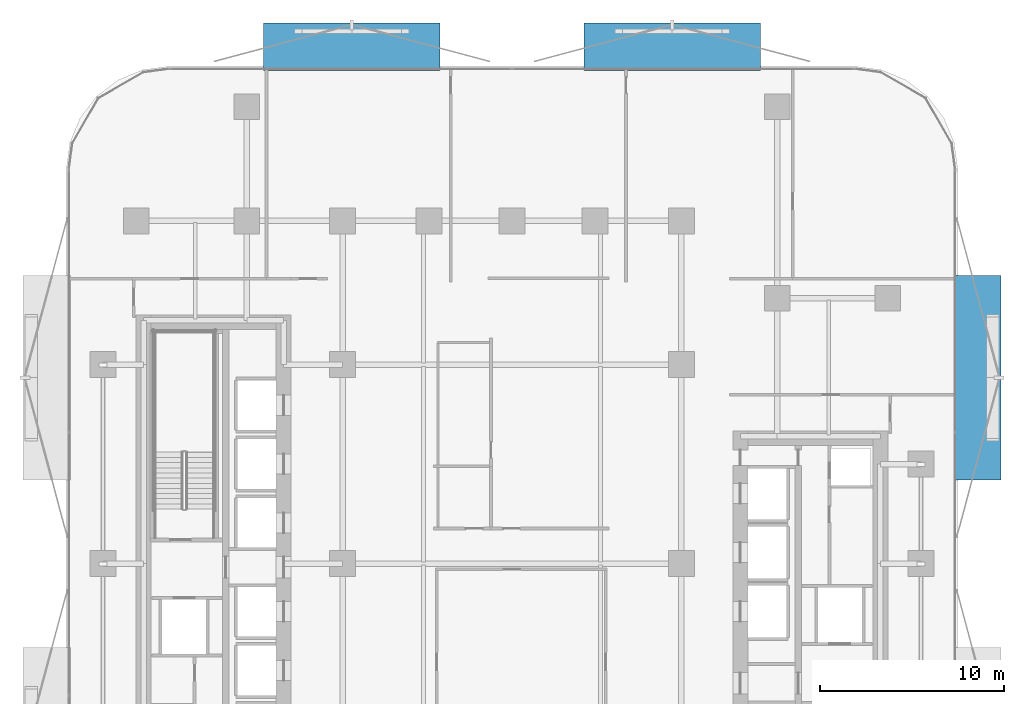
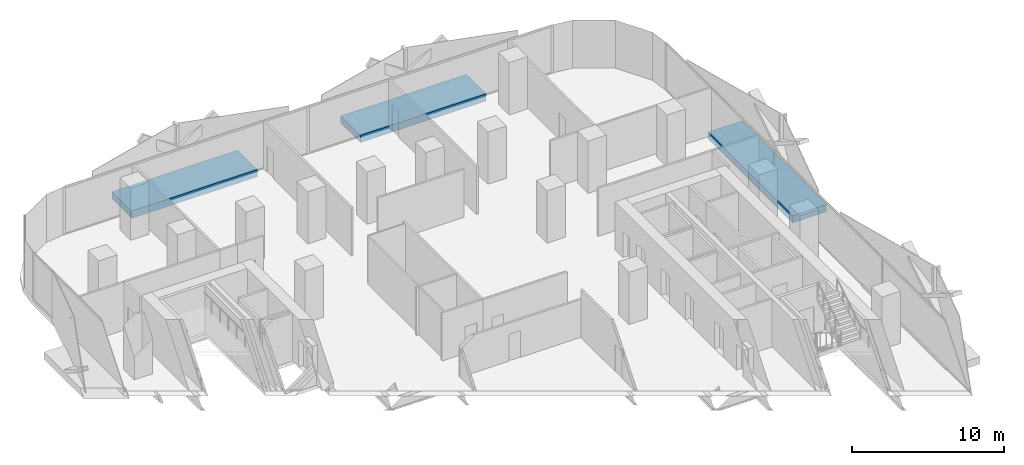
# One storey, part 7 of 16: 3 discrete accessories.
"""IFC4 building model written with IfcOpenShell, lengths in metres."""

from ifc_helpers import new_model, si_unit, direction, frame, origin, origin_2d, place, context, subcontext, project, spatial, rectangle, extrude, material, type_object, element, save


model = new_model("IFC4")

# Units and contexts
model_context = context("Model", 3, precision=1e-05, world=origin(), true_north=direction((0.0, 1.0)))
body_context = subcontext(model_context, "Body", "Model", "MODEL_VIEW")
ifc_project = project(units=[si_unit("LENGTHUNIT", "METRE"), si_unit("AREAUNIT", "SQUARE_METRE"), si_unit("VOLUMEUNIT", "CUBIC_METRE"), si_unit("PLANEANGLEUNIT", "RADIAN"), si_unit("MASSUNIT", "GRAM", prefix="KILO")], contexts=[model_context])

# Site, building, storey
site_placement = place(None, origin())
site = spatial("IfcSite", under=ifc_project, at=site_placement, CompositionType="ELEMENT")
building_placement = place(site_placement, origin())
building = spatial("IfcBuilding", under=site, at=building_placement, Name="Khairoan Windgate Tower", CompositionType="ELEMENT")
storey_placement = place(building_placement, frame((0.0, 0.0, 80.60009765625)))
storey = spatial("IfcBuildingStorey", under=building, at=storey_placement, Name="L19", CompositionType="ELEMENT", Elevation=80.60009765625)

# Discrete accessories
ifc_material = material(Name="Steel S355", Category="steel")
discrete_accessory_type = type_object("IfcDiscreteAccessoryType", Name="Solar Screen Outrigger Slab Bracket SSB-1", PredefinedType="BRACKET", material=ifc_material)
for number, where, z_axis, x_axis, name in (
    (1, (-8.6953125, 28.06005859375, -0.420166015625), (0.0, 0.0, 1.0), (1.0, 0.0, 0.0), "L19 Solar Screen Outrigger Bracket 109"),
    (2, (8.6953125, 28.06005859375, -0.420166015625), (0.0, 0.0, 1.0), (1.0, 0.0, 0.0), "L19 Solar Screen Outrigger Bracket 110"),
):
    element("IfcDiscreteAccessory", number, at=place(storey_placement, frame(where, z_axis=z_axis, x_axis=x_axis)), inside=storey, type_object=discrete_accessory_type, Name=name, PredefinedType="BRACKET", context=body_context, shape_type="SweptSolid", body=[
        extrude(rectangle(XDim=9.56494140625, YDim=2.60009765625, at=origin_2d()), origin(), (0.0, 0.0, 1.0), 0.580078125),
    ])
discrete_accessory_placement = place(storey_placement, frame((25.260009765625, 10.095458984375, -0.420166015625), z_axis=(0.0, 0.0, 1.0), x_axis=(0.0, -1.0, 0.0)))
element("IfcDiscreteAccessory", 3, at=discrete_accessory_placement, inside=storey, type_object=discrete_accessory_type, Name="L19 Solar Screen Outrigger Bracket 111", PredefinedType="BRACKET", context=body_context, shape_type="SweptSolid", body=[
    extrude(rectangle(XDim=11.10498046875, YDim=2.60009765625, at=origin_2d()), origin(), (0.0, 0.0, 1.0), 0.580078125),
])

save(model, "model.ifc")
